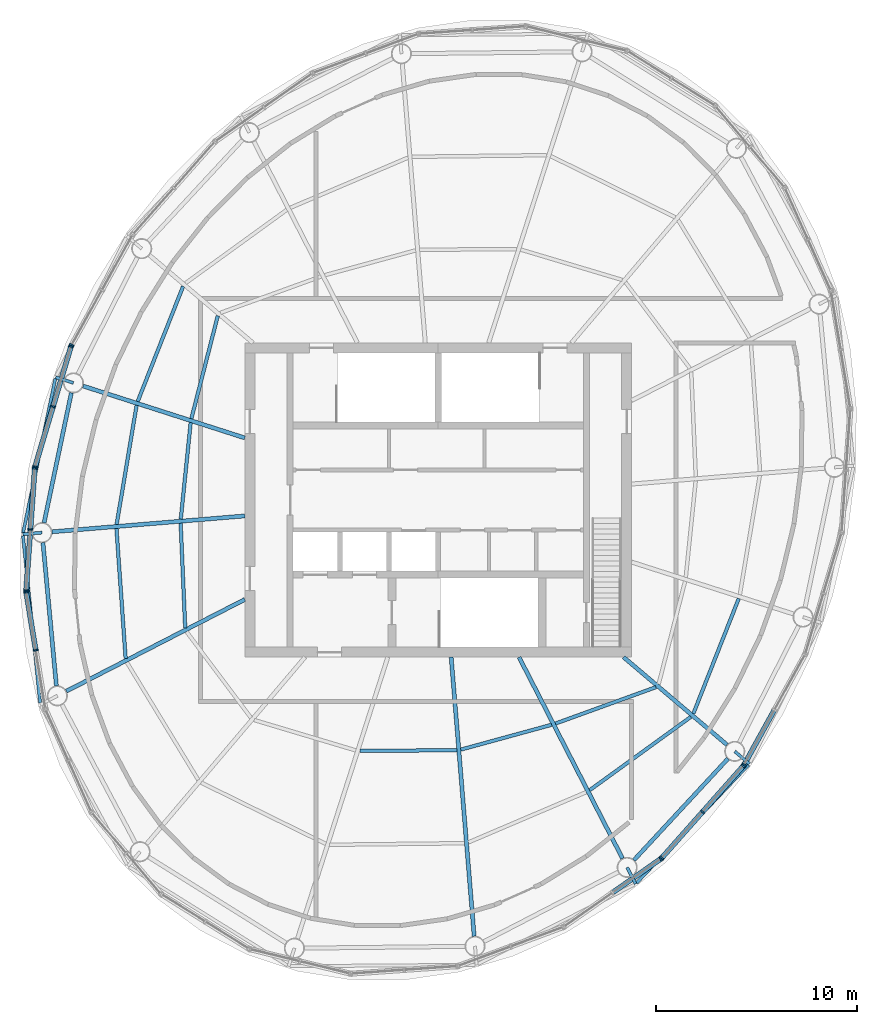
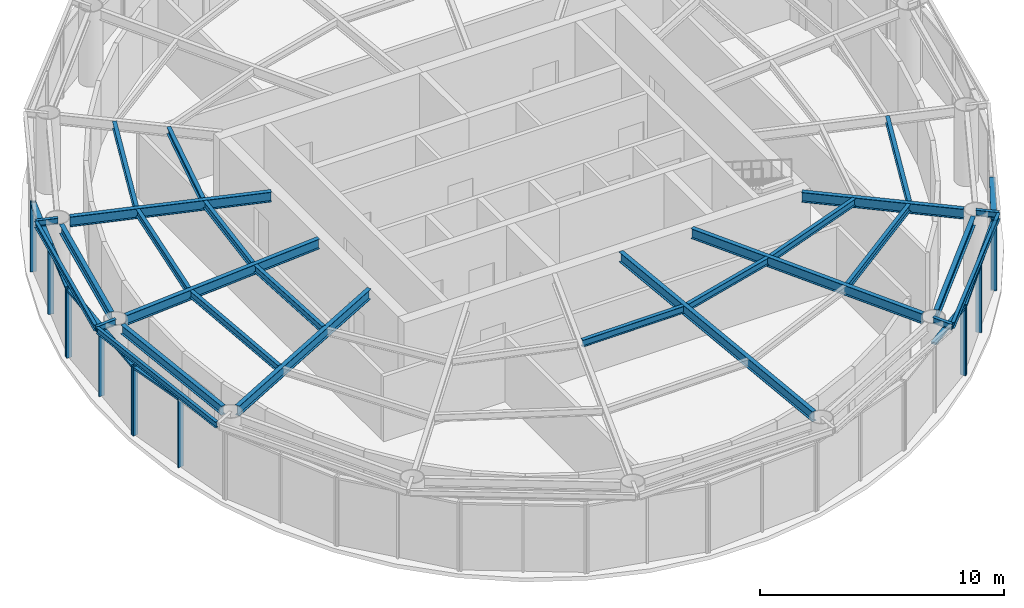
# One storey, part 3 of 11: 27 beams, 23 members, 7 elements without a shape of their own.
"""IFC4 building model written with IfcOpenShell, lengths in metres."""

from ifc_helpers import new_model, si_unit, direction, frame, origin, origin_2d, place, context, subcontext, project, spatial, rectangle, i_section, extrude, material, material_profile, profile_set, type_object, element, aggregate, save


model = new_model("IFC4")

# Units and contexts
model_context = context("Model", 3, precision=1e-05, world=origin(), true_north=direction((0.0, 1.0)))
body_context = subcontext(model_context, "Body", "Model", "MODEL_VIEW")
ifc_project = project(units=[si_unit("LENGTHUNIT", "METRE"), si_unit("AREAUNIT", "SQUARE_METRE"), si_unit("VOLUMEUNIT", "CUBIC_METRE"), si_unit("PLANEANGLEUNIT", "RADIAN"), si_unit("MASSUNIT", "GRAM", prefix="KILO")], contexts=[model_context])

# Site, building, storey
site_placement = place(None, origin())
site = spatial("IfcSite", under=ifc_project, at=site_placement, CompositionType="ELEMENT")
building_placement = place(site_placement, origin())
building = spatial("IfcBuilding", under=site, at=building_placement, Name="Vermilion Reach Broadcast Tower", CompositionType="ELEMENT")
storey_placement = place(building_placement, frame((0.0, 0.0, 325.5)))
storey = spatial("IfcBuildingStorey", under=building, at=storey_placement, Name="L81 CROWN", CompositionType="ELEMENT", Elevation=325.5)

# Curtain wall, member
ifc_material_1 = material(Name="Low-e laminated clear glass in aluminium frame", Category="aluminium")
curtain_wall_type = type_object("IfcCurtainWallType", Name="Crown glazing curtain wall", PredefinedType="NOTDEFINED", material=ifc_material_1)
placement = place(storey_placement, origin())
curtain_wall_1 = element("IfcCurtainWall", 1, at=placement, inside=storey, type_object=curtain_wall_type, Name="Crown glazing L81 CROWN 06", PredefinedType="NOTDEFINED")
ifc_material_2 = material(Name="Anodised aluminium", Category="aluminium")
ifc_material_profile_1 = material_profile(ifc_material_2, rectangle(XDim=0.25, YDim=0.080078125, at=origin_2d()), Name="Crown glazing mullion 80 x 250")
ifc_profile_set_1 = profile_set([ifc_material_profile_1], Name="Anodised aluminium")
member_type_1 = type_object("IfcMemberType", Name="Crown glazing mullion 80 x 250", PredefinedType="MULLION", material=ifc_profile_set_1)
member_1_placement = place(storey_placement, frame((-24.196533203125, 7.6923828125, 0.0), z_axis=(0.0, 0.0, 1.0), x_axis=(0.874983200268, -0.484153280738, 0.0)))
member_1 = element("IfcMember", 2, at=member_1_placement, type_object=member_type_1, Name="Crown glazing mullion L81 CROWN 06.3", PredefinedType="MULLION", context=body_context, shape_type="SweptSolid", body=[
    extrude(rectangle(XDim=0.25, YDim=0.080078125, at=origin_2d()), origin(), (0.0, 0.0, 1.0), 3.449951171875),
])
aggregate(curtain_wall_1, [member_1])

# Curtain wall, members
curtain_wall_2 = element("IfcCurtainWall", 3, at=placement, inside=storey, type_object=curtain_wall_type, Name="Crown glazing L81 CROWN 07", PredefinedType="NOTDEFINED")
member_2_placement = place(storey_placement, frame((-24.2275390625, 7.618896484375, 0.0), z_axis=(0.0, 0.0, 1.0), x_axis=(0.958107940789, -0.286407356394, 0.0)))
member_2 = element("IfcMember", 4, at=member_2_placement, type_object=member_type_1, Name="Crown glazing mullion L81 CROWN 07.1", PredefinedType="MULLION", context=body_context, shape_type="SweptSolid", body=[
    extrude(rectangle(XDim=0.25, YDim=0.080078125, at=origin_2d()), origin(), (0.0, 0.0, 1.0), 3.449951171875),
])
member_3_placement = place(storey_placement, frame((-25.119384765625, 4.635498046875, 0.0), z_axis=(0.0, 0.0, 1.0), x_axis=(0.958107940789, -0.286407356394, 0.0)))
member_3 = element("IfcMember", 5, at=member_3_placement, type_object=member_type_1, Name="Crown glazing mullion L81 CROWN 07.2", PredefinedType="MULLION", context=body_context, shape_type="SweptSolid", body=[
    extrude(rectangle(XDim=0.25, YDim=0.080078125, at=origin_2d()), origin(), (0.0, 0.0, 1.0), 3.449951171875),
])
member_4_placement = place(storey_placement, frame((-26.01123046875, 1.65185546875, 0.0), z_axis=(0.0, 0.0, 1.0), x_axis=(0.958107940789, -0.286407356394, 0.0)))
member_4 = element("IfcMember", 6, at=member_4_placement, type_object=member_type_1, Name="Crown glazing mullion L81 CROWN 07.3", PredefinedType="MULLION", context=body_context, shape_type="SweptSolid", body=[
    extrude(rectangle(XDim=0.25, YDim=0.080078125, at=origin_2d()), origin(), (0.0, 0.0, 1.0), 3.449951171875),
])

curtain_wall_3 = element("IfcCurtainWall", 7, at=placement, inside=storey, type_object=curtain_wall_type, Name="Crown glazing L81 CROWN 08", PredefinedType="NOTDEFINED")
member_5_placement = place(storey_placement, frame((-26.025390625, 1.57373046875, 0.0), z_axis=(0.0, 0.0, 1.0), x_axis=(0.997499557729, -0.070672712769, 0.0)))
member_5 = element("IfcMember", 8, at=member_5_placement, type_object=member_type_1, Name="Crown glazing mullion L81 CROWN 08.1", PredefinedType="MULLION", context=body_context, shape_type="SweptSolid", body=[
    extrude(rectangle(XDim=0.25, YDim=0.080078125, at=origin_2d()), origin(), (0.0, 0.0, 1.0), 3.449951171875),
])
member_6_placement = place(storey_placement, frame((-26.240478515625, -1.46240234375, 0.0), z_axis=(0.0, 0.0, 1.0), x_axis=(0.997499557729, -0.070672712769, 0.0)))
member_6 = element("IfcMember", 9, at=member_6_placement, type_object=member_type_1, Name="Crown glazing mullion L81 CROWN 08.2", PredefinedType="MULLION", context=body_context, shape_type="SweptSolid", body=[
    extrude(rectangle(XDim=0.25, YDim=0.080078125, at=origin_2d()), origin(), (0.0, 0.0, 1.0), 3.449951171875),
])
member_7_placement = place(storey_placement, frame((-26.455810546875, -4.49853515625, 0.0), z_axis=(0.0, 0.0, 1.0), x_axis=(0.997499557729, -0.070672712769, 0.0)))
member_7 = element("IfcMember", 10, at=member_7_placement, type_object=member_type_1, Name="Crown glazing mullion L81 CROWN 08.3", PredefinedType="MULLION", context=body_context, shape_type="SweptSolid", body=[
    extrude(rectangle(XDim=0.25, YDim=0.080078125, at=origin_2d()), origin(), (0.0, 0.0, 1.0), 3.449951171875),
])

curtain_wall_4 = element("IfcCurtainWall", 11, at=placement, inside=storey, type_object=curtain_wall_type, Name="Crown glazing L81 CROWN 09", PredefinedType="NOTDEFINED")
member_8_placement = place(storey_placement, frame((-26.451904296875, -4.577880859375, 0.0), z_axis=(0.0, 0.0, 1.0), x_axis=(0.986689101121, 0.162618011697, 0.0)))
member_8 = element("IfcMember", 12, at=member_8_placement, type_object=member_type_1, Name="Crown glazing mullion L81 CROWN 09.1", PredefinedType="MULLION", context=body_context, shape_type="SweptSolid", body=[
    extrude(rectangle(XDim=0.25, YDim=0.080078125, at=origin_2d()), origin(), (0.0, 0.0, 1.0), 3.449951171875),
])
member_9_placement = place(storey_placement, frame((-25.9775390625, -7.456787109375, 0.0), z_axis=(0.0, 0.0, 1.0), x_axis=(0.986689101121, 0.162618011697, 0.0)))
member_9 = element("IfcMember", 13, at=member_9_placement, type_object=member_type_1, Name="Crown glazing mullion L81 CROWN 09.2", PredefinedType="MULLION", context=body_context, shape_type="SweptSolid", body=[
    extrude(rectangle(XDim=0.25, YDim=0.080078125, at=origin_2d()), origin(), (0.0, 0.0, 1.0), 3.449951171875),
])

# Curtain wall, member
curtain_wall_5 = element("IfcCurtainWall", 14, at=placement, inside=storey, type_object=curtain_wall_type, Name="Crown glazing L81 CROWN 16", PredefinedType="NOTDEFINED")
member_10_placement = place(storey_placement, frame((5.038818359375, -17.8154296875, 0.0), z_axis=(0.0, 0.0, 1.0), x_axis=(-0.574163969023, 0.818740335317, 0.0)))
member_10 = element("IfcMember", 15, at=member_10_placement, type_object=member_type_1, Name="Crown glazing mullion L81 CROWN 16.3", PredefinedType="MULLION", context=body_context, shape_type="SweptSolid", body=[
    extrude(rectangle(XDim=0.25, YDim=0.080078125, at=origin_2d()), origin(), (0.0, 0.0, 1.0), 3.449951171875),
])

# Curtain wall, members
curtain_wall_6 = element("IfcCurtainWall", 16, at=placement, inside=storey, type_object=curtain_wall_type, Name="Crown glazing L81 CROWN 17", PredefinedType="NOTDEFINED")
member_11_placement = place(storey_placement, frame((5.09814453125, -17.762451171875, 0.0), z_axis=(0.0, 0.0, 1.0), x_axis=(-0.748407682668, 0.663238976934, 0.0)))
member_11 = element("IfcMember", 17, at=member_11_placement, type_object=member_type_1, Name="Crown glazing mullion L81 CROWN 17.1", PredefinedType="MULLION", context=body_context, shape_type="SweptSolid", body=[
    extrude(rectangle(XDim=0.25, YDim=0.080078125, at=origin_2d()), origin(), (0.0, 0.0, 1.0), 3.449951171875),
])
member_12_placement = place(storey_placement, frame((7.11669921875, -15.484619140625, 0.0), z_axis=(0.0, 0.0, 1.0), x_axis=(-0.748407682668, 0.663238976934, 0.0)))
member_12 = element("IfcMember", 18, at=member_12_placement, type_object=member_type_1, Name="Crown glazing mullion L81 CROWN 17.2", PredefinedType="MULLION", context=body_context, shape_type="SweptSolid", body=[
    extrude(rectangle(XDim=0.25, YDim=0.080078125, at=origin_2d()), origin(), (0.0, 0.0, 1.0), 3.449951171875),
])
member_13_placement = place(storey_placement, frame((9.135498046875, -13.20654296875, 0.0), z_axis=(0.0, 0.0, 1.0), x_axis=(-0.748407682668, 0.663238976934, 0.0)))
member_13 = element("IfcMember", 19, at=member_13_placement, type_object=member_type_1, Name="Crown glazing mullion L81 CROWN 17.3", PredefinedType="MULLION", context=body_context, shape_type="SweptSolid", body=[
    extrude(rectangle(XDim=0.25, YDim=0.080078125, at=origin_2d()), origin(), (0.0, 0.0, 1.0), 3.449951171875),
])

# Curtain wall, member
curtain_wall_7 = element("IfcCurtainWall", 20, at=placement, inside=storey, type_object=curtain_wall_type, Name="Crown glazing L81 CROWN 18", PredefinedType="NOTDEFINED")
member_14_placement = place(storey_placement, frame((9.181396484375, -13.1416015625, 0.0), z_axis=(0.0, 0.0, 1.0), x_axis=(-0.874983200268, 0.484153280738, 0.0)))
member_14 = element("IfcMember", 21, at=member_14_placement, type_object=member_type_1, Name="Crown glazing mullion L81 CROWN 18.1", PredefinedType="MULLION", context=body_context, shape_type="SweptSolid", body=[
    extrude(rectangle(XDim=0.25, YDim=0.080078125, at=origin_2d()), origin(), (0.0, 0.0, 1.0), 3.449951171875),
])

# Member
ifc_material_3 = material(Name="Anodised aluminium", Category="aluminium")
ifc_material_profile_2 = material_profile(ifc_material_3, rectangle(XDim=0.25, YDim=0.10009765625, at=origin_2d()), Name="Crown glazing transom 250 x 100")
ifc_profile_set_2 = profile_set([ifc_material_profile_2], Name="Anodised aluminium")
member_type_2 = type_object("IfcMemberType", Name="Crown glazing transom 250 x 100", PredefinedType="USERDEFINED", material=ifc_profile_set_2)
member_15_placement = place(storey_placement, frame((-24.239013671875, 7.58056640625, 3.39990234375), z_axis=(-0.286402743865, -0.958109319601, 0.0), x_axis=(0.958109319601, -0.286402743865, 0.0)))
member_15 = element("IfcMember", 22, at=member_15_placement, type_object=member_type_2, Name="Crown glazing transom L81 CROWN 07.1.2", ObjectType="TRANSOM", PredefinedType="USERDEFINED", context=body_context, shape_type="SweptSolid", body=[
    extrude(rectangle(XDim=0.25, YDim=0.10009765625, at=origin_2d()), origin(), (0.0, 0.0, 1.0), 3.033935546875),
])

member_16_placement = place(storey_placement, frame((-25.130859375, 4.59716796875, 3.39990234375), z_axis=(-0.286380663338, -0.958115919744, 0.0), x_axis=(0.958115919744, -0.286380663338, 0.0)))
member_16 = element("IfcMember", 23, at=member_16_placement, type_object=member_type_2, Name="Crown glazing transom L81 CROWN 07.2.2", ObjectType="TRANSOM", PredefinedType="USERDEFINED", context=body_context, shape_type="SweptSolid", body=[
    extrude(rectangle(XDim=0.25, YDim=0.10009765625, at=origin_2d()), origin(), (0.0, 0.0, 1.0), 3.0341796875),
])

aggregate(curtain_wall_2, [member_2, member_3, member_4, member_15, member_16])

member_17_placement = place(storey_placement, frame((-26.0283203125, 1.533935546875, 3.39990234375), z_axis=(-0.07067918302, -0.997499099292, 0.0), x_axis=(0.997499099292, -0.07067918302, 0.0)))
member_17 = element("IfcMember", 24, at=member_17_placement, type_object=member_type_2, Name="Crown glazing transom L81 CROWN 08.1.2", ObjectType="TRANSOM", PredefinedType="USERDEFINED", context=body_context, shape_type="SweptSolid", body=[
    extrude(rectangle(XDim=0.25, YDim=0.10009765625, at=origin_2d()), origin(), (0.0, 0.0, 1.0), 2.963623046875),
])

member_18_placement = place(storey_placement, frame((-26.243408203125, -1.502197265625, 3.39990234375), z_axis=(-0.07067918302, -0.997499099292, 0.0), x_axis=(0.997499099292, -0.07067918302, 0.0)))
member_18 = element("IfcMember", 25, at=member_18_placement, type_object=member_type_2, Name="Crown glazing transom L81 CROWN 08.2.2", ObjectType="TRANSOM", PredefinedType="USERDEFINED", context=body_context, shape_type="SweptSolid", body=[
    extrude(rectangle(XDim=0.25, YDim=0.10009765625, at=origin_2d()), origin(), (0.0, 0.0, 1.0), 2.963623046875),
])

aggregate(curtain_wall_3, [member_5, member_6, member_7, member_17, member_18])

member_19_placement = place(storey_placement, frame((-26.445556640625, -4.6171875, 3.39990234375), z_axis=(0.162599033258, -0.986692228805, 0.0), x_axis=(0.986692228805, 0.162599033258, 0.0)))
member_19 = element("IfcMember", 26, at=member_19_placement, type_object=member_type_2, Name="Crown glazing transom L81 CROWN 09.1.2", ObjectType="TRANSOM", PredefinedType="USERDEFINED", context=body_context, shape_type="SweptSolid", body=[
    extrude(rectangle(XDim=0.25, YDim=0.10009765625, at=origin_2d()), origin(), (0.0, 0.0, 1.0), 2.837890625),
])

aggregate(curtain_wall_4, [member_8, member_9, member_19])

member_20_placement = place(storey_placement, frame((2.6826171875, -19.4677734375, 3.39990234375), z_axis=(0.818742582552, 0.574160764522, 0.0), x_axis=(-0.574160764522, 0.818742582552, 0.0)))
member_20 = element("IfcMember", 27, at=member_20_placement, type_object=member_type_2, Name="Crown glazing transom L81 CROWN 16.2.2", ObjectType="TRANSOM", PredefinedType="USERDEFINED", context=body_context, shape_type="SweptSolid", body=[
    extrude(rectangle(XDim=0.25, YDim=0.10009765625, at=origin_2d()), origin(), (0.0, 0.0, 1.0), 2.837890625),
])

aggregate(curtain_wall_5, [member_10, member_20])

member_21_placement = place(storey_placement, frame((5.12451171875, -17.732421875, 3.39990234375), z_axis=(0.663279205809, 0.748372029903, 0.0), x_axis=(-0.748372029903, 0.663279205809, 0.0)))
member_21 = element("IfcMember", 28, at=member_21_placement, type_object=member_type_2, Name="Crown glazing transom L81 CROWN 17.1.2", ObjectType="TRANSOM", PredefinedType="USERDEFINED", context=body_context, shape_type="SweptSolid", body=[
    extrude(rectangle(XDim=0.25, YDim=0.10009765625, at=origin_2d()), origin(), (0.0, 0.0, 1.0), 2.9638671875),
])

member_22_placement = place(storey_placement, frame((7.143310546875, -15.45458984375, 3.39990234375), z_axis=(0.663233067327, 0.74841291972, 0.0), x_axis=(-0.74841291972, 0.663233067327, 0.0)))
member_22 = element("IfcMember", 29, at=member_22_placement, type_object=member_type_2, Name="Crown glazing transom L81 CROWN 17.2.2", ObjectType="TRANSOM", PredefinedType="USERDEFINED", context=body_context, shape_type="SweptSolid", body=[
    extrude(rectangle(XDim=0.25, YDim=0.10009765625, at=origin_2d()), origin(), (0.0, 0.0, 1.0), 2.963623046875),
])

aggregate(curtain_wall_6, [member_11, member_12, member_13, member_21, member_22])

member_23_placement = place(storey_placement, frame((9.20068359375, -13.106689453125, 3.39990234375), z_axis=(0.484159697597, 0.874979649605, 0.0), x_axis=(-0.874979649605, 0.484159697597, 0.0)))
member_23 = element("IfcMember", 30, at=member_23_placement, type_object=member_type_2, Name="Crown glazing transom L81 CROWN 18.1.2", ObjectType="TRANSOM", PredefinedType="USERDEFINED", context=body_context, shape_type="SweptSolid", body=[
    extrude(rectangle(XDim=0.25, YDim=0.10009765625, at=origin_2d()), origin(), (0.0, 0.0, 1.0), 3.0341796875),
])

aggregate(curtain_wall_7, [member_14, member_23])

# Beams
ifc_material_4 = material(Name="Steel S355J2", Category="steel")
ifc_material_profile_3 = material_profile(ifc_material_4, i_section(OverallWidth=0.14990234375, OverallDepth=0.300048828125, WebThickness=0.006591796875, FlangeThickness=0.009033203125, at=origin_2d()), Name="S355J2 HN 300x150x6.5x9")
ifc_profile_set_3 = profile_set([ifc_material_profile_3], Name="Steel S355J2")
beam_type_1 = type_object("IfcBeamType", Name="EB5 HN 300x150x6.5x9", PredefinedType="BEAM", material=ifc_profile_set_3)
beam_1_placement = place(storey_placement, frame((-25.00439453125, 6.019287109375, 3.60009765625), z_axis=(-0.204738436734, -0.978816720599, 0.0), x_axis=(0.978816720599, -0.204738436734, 0.0)))
element("IfcBeam", 31, at=beam_1_placement, inside=storey, type_object=beam_type_1, Name="Edge beam EB5-05", PredefinedType="BEAM", context=body_context, shape_type="SweptSolid", body=[
    extrude(i_section(OverallWidth=0.14990234375, OverallDepth=0.300048828125, WebThickness=0.006591796875, FlangeThickness=0.009033203125, at=origin_2d()), origin(), (0.0, 0.0, 1.0), 7.806884765625),
])
beam_2_placement = place(storey_placement, frame((-26.611083984375, -1.7734375, 3.60009765625), z_axis=(0.102011792202, -0.99478318957, 0.0), x_axis=(0.99478318957, 0.102011792202, 0.0)))
element("IfcBeam", 32, at=beam_2_placement, inside=storey, type_object=beam_type_1, Name="Edge beam EB5-06", PredefinedType="BEAM", context=body_context, shape_type="SweptSolid", body=[
    extrude(i_section(OverallWidth=0.14990234375, OverallDepth=0.300048828125, WebThickness=0.006591796875, FlangeThickness=0.009033203125, at=origin_2d()), origin(), (0.0, 0.0, 1.0), 8.34521484375),
])
beam_3_placement = place(storey_placement, frame((3.85400390625, -19.001708984375, 3.60009765625), z_axis=(0.687701793008, 0.725993280888, 0.0), x_axis=(-0.725993280888, 0.687701793008, 0.0)))
element("IfcBeam", 33, at=beam_3_placement, inside=storey, type_object=beam_type_1, Name="Edge beam EB5-11", PredefinedType="BEAM", context=body_context, shape_type="SweptSolid", body=[
    extrude(i_section(OverallWidth=0.14990234375, OverallDepth=0.300048828125, WebThickness=0.006591796875, FlangeThickness=0.009033203125, at=origin_2d()), origin(), (0.0, 0.0, 1.0), 8.05908203125),
])
ifc_material_5 = material(Name="Steel S355J2", Category="steel")
ifc_material_profile_4 = material_profile(ifc_material_5, i_section(OverallWidth=0.199951171875, OverallDepth=0.5, WebThickness=0.010009765625, FlangeThickness=0.01611328125, at=origin_2d()), Name="S355J2 HN 500x200x10x16")
ifc_profile_set_4 = profile_set([ifc_material_profile_4], Name="Steel S355J2")
beam_type_2 = type_object("IfcBeamType", Name="G5 HN 500x200x10x16", PredefinedType="BEAM", material=ifc_profile_set_4)
beam_4_placement = place(storey_placement, frame((-15.60009765625, 3.080322265625, 3.5), z_axis=(-0.952178453449, 0.305542456604, 0.0), x_axis=(-0.305542456604, -0.952178453449, 0.0)))
element("IfcBeam", 34, at=beam_4_placement, inside=storey, type_object=beam_type_2, Name="Girder G5-05", PredefinedType="BEAM", context=body_context, shape_type="SweptSolid", body=[
    extrude(i_section(OverallWidth=0.199951171875, OverallDepth=0.5, WebThickness=0.010009765625, FlangeThickness=0.01611328125, at=origin_2d()), origin(), (0.0, 0.0, 1.0), 8.43310546875),
])
beam_5_placement = place(storey_placement, frame((-15.60009765625, -0.791015625, 3.5), z_axis=(-0.996624410075, -0.082096195058, 0.0), x_axis=(0.082096195058, -0.996624410075, 0.0)))
element("IfcBeam", 35, at=beam_5_placement, inside=storey, type_object=beam_type_2, Name="Girder G5-06", PredefinedType="BEAM", context=body_context, shape_type="SweptSolid", body=[
    extrude(i_section(OverallWidth=0.199951171875, OverallDepth=0.5, WebThickness=0.010009765625, FlangeThickness=0.01611328125, at=origin_2d()), origin(), (0.0, 0.0, 1.0), 9.599609375),
])
beam_6_placement = place(storey_placement, frame((-15.60009765625, -4.935791015625, 3.5), z_axis=(-0.889332502449, -0.457261085254, 0.0), x_axis=(0.457261085254, -0.889332502449, 0.0)))
element("IfcBeam", 36, at=beam_6_placement, inside=storey, type_object=beam_type_2, Name="Girder G5-07", PredefinedType="BEAM", context=body_context, shape_type="SweptSolid", body=[
    extrude(i_section(OverallWidth=0.199951171875, OverallDepth=0.5, WebThickness=0.010009765625, FlangeThickness=0.01611328125, at=origin_2d()), origin(), (0.0, 0.0, 1.0), 9.96337890625),
])
beam_7_placement = place(storey_placement, frame((-5.357421875, -7.800048828125, 3.5), z_axis=(0.082123744247, -0.996622140347, 0.0), x_axis=(0.996622140347, 0.082123744247, 0.0)))
element("IfcBeam", 37, at=beam_7_placement, inside=storey, type_object=beam_type_2, Name="Girder G5-10", PredefinedType="BEAM", context=body_context, shape_type="SweptSolid", body=[
    extrude(i_section(OverallWidth=0.199951171875, OverallDepth=0.5, WebThickness=0.010009765625, FlangeThickness=0.01611328125, at=origin_2d()), origin(), (0.0, 0.0, 1.0), 13.89794921875),
])
beam_8_placement = place(storey_placement, frame((-1.989501953125, -7.800048828125, 3.5), z_axis=(0.457258168112, -0.889334002327, 0.0), x_axis=(0.889334002327, 0.457258168112, 0.0)))
element("IfcBeam", 38, at=beam_8_placement, inside=storey, type_object=beam_type_2, Name="Girder G5-11", PredefinedType="BEAM", context=body_context, shape_type="SweptSolid", body=[
    extrude(i_section(OverallWidth=0.199951171875, OverallDepth=0.5, WebThickness=0.010009765625, FlangeThickness=0.01611328125, at=origin_2d()), origin(), (0.0, 0.0, 1.0), 11.236328125),
])
beam_9_placement = place(storey_placement, frame((3.20068359375, -7.800048828125, 3.5), z_axis=(0.762793125612, -0.646642596431, 0.0), x_axis=(0.646642596431, 0.762793125612, 0.0)))
element("IfcBeam", 39, at=beam_9_placement, inside=storey, type_object=beam_type_2, Name="Girder G5-12", PredefinedType="BEAM", context=body_context, shape_type="SweptSolid", body=[
    extrude(i_section(OverallWidth=0.199951171875, OverallDepth=0.5, WebThickness=0.010009765625, FlangeThickness=0.01611328125, at=origin_2d()), origin(), (0.0, 0.0, 1.0), 6.732421875),
])
ifc_material_6 = material(Name="Steel S355J2", Category="steel")
ifc_material_profile_5 = material_profile(ifc_material_6, i_section(OverallWidth=0.14990234375, OverallDepth=0.300048828125, WebThickness=0.006591796875, FlangeThickness=0.009033203125, at=origin_2d()), Name="S355J2 HN 300x150x6.5x9")
ifc_profile_set_5 = profile_set([ifc_material_profile_5], Name="Steel S355J2")
beam_type_3 = type_object("IfcBeamType", Name="GS5 HN 300x150x6.5x9", PredefinedType="BEAM", material=ifc_profile_set_5)
beam_10_placement = place(storey_placement, frame((-24.10595703125, 5.809814453125, 3.60009765625), z_axis=(-0.952228317443, 0.305387019141, 0.0), x_axis=(-0.305387019141, -0.952228317443, 0.0)))
element("IfcBeam", 40, at=beam_10_placement, inside=storey, type_object=beam_type_3, Name="Cantilever stub GS5-05", PredefinedType="BEAM", context=body_context, shape_type="SweptSolid", body=[
    extrude(i_section(OverallWidth=0.14990234375, OverallDepth=0.300048828125, WebThickness=0.006591796875, FlangeThickness=0.009033203125, at=origin_2d()), origin(), (0.0, 0.0, 1.0), 0.92724609375),
])
beam_11_placement = place(storey_placement, frame((-25.665771484375, -1.620361328125, 3.60009765625), z_axis=(-0.996634988565, -0.081967673925, 0.0), x_axis=(0.081967673925, -0.996634988565, 0.0)))
element("IfcBeam", 41, at=beam_11_placement, inside=storey, type_object=beam_type_3, Name="Cantilever stub GS5-06", PredefinedType="BEAM", context=body_context, shape_type="SweptSolid", body=[
    extrude(i_section(OverallWidth=0.14990234375, OverallDepth=0.300048828125, WebThickness=0.006591796875, FlangeThickness=0.009033203125, at=origin_2d()), origin(), (0.0, 0.0, 1.0), 0.9560546875),
])
beam_12_placement = place(storey_placement, frame((3.376953125, -18.23779296875, 3.60009765625), z_axis=(0.457228572872, -0.889349218333, 0.0), x_axis=(0.889349218333, 0.457228572872, 0.0)))
element("IfcBeam", 42, at=beam_12_placement, inside=storey, type_object=beam_type_3, Name="Cantilever stub GS5-11", PredefinedType="BEAM", context=body_context, shape_type="SweptSolid", body=[
    extrude(i_section(OverallWidth=0.14990234375, OverallDepth=0.300048828125, WebThickness=0.006591796875, FlangeThickness=0.009033203125, at=origin_2d()), origin(), (0.0, 0.0, 1.0), 0.923828125),
])
beam_13_placement = place(storey_placement, frame((8.717529296875, -12.476806640625, 3.60009765625), z_axis=(0.762718692688, -0.64673038882, 0.0), x_axis=(0.64673038882, 0.762718692688, 0.0)))
element("IfcBeam", 43, at=beam_13_placement, inside=storey, type_object=beam_type_3, Name="Cantilever stub GS5-12", PredefinedType="BEAM", context=body_context, shape_type="SweptSolid", body=[
    extrude(i_section(OverallWidth=0.14990234375, OverallDepth=0.300048828125, WebThickness=0.006591796875, FlangeThickness=0.009033203125, at=origin_2d()), origin(), (0.0, 0.0, 1.0), 0.957763671875),
])
ifc_material_7 = material(Name="Steel S355J2", Category="steel")
ifc_material_profile_6 = material_profile(ifc_material_7, i_section(OverallWidth=0.199951171875, OverallDepth=0.449951171875, WebThickness=0.009033203125, FlangeThickness=0.013916015625, at=origin_2d()), Name="S355J2 HN 450x200x9x14")
ifc_profile_set_6 = profile_set([ifc_material_profile_6], Name="Steel S355J2")
beam_type_4 = type_object("IfcBeamType", Name="RB5 HN 450x200x9x14", PredefinedType="BEAM", material=ifc_profile_set_6)
beam_14_placement = place(storey_placement, frame((-24.208740234375, 5.3203125, 3.52490234375), z_axis=(-0.205444869285, -0.978668690459, 0.0), x_axis=(0.978668690459, -0.205444869285, 0.0)))
element("IfcBeam", 44, at=beam_14_placement, inside=storey, type_object=beam_type_4, Name="Ring beam RB5-05", PredefinedType="BEAM", context=body_context, shape_type="SweptSolid", body=[
    extrude(i_section(OverallWidth=0.199951171875, OverallDepth=0.449951171875, WebThickness=0.009033203125, FlangeThickness=0.013916015625, at=origin_2d()), origin(), (0.0, 0.0, 1.0), 6.591796875),
])
beam_15_placement = place(storey_placement, frame((-25.618896484375, -2.1181640625, 3.52490234375), z_axis=(0.093441399272, -0.995624781181, 0.0), x_axis=(0.995624781181, 0.093441399272, 0.0)))
element("IfcBeam", 45, at=beam_15_placement, inside=storey, type_object=beam_type_4, Name="Ring beam RB5-06", PredefinedType="BEAM", context=body_context, shape_type="SweptSolid", body=[
    extrude(i_section(OverallWidth=0.199951171875, OverallDepth=0.449951171875, WebThickness=0.009033203125, FlangeThickness=0.013916015625, at=origin_2d()), origin(), (0.0, 0.0, 1.0), 7.135498046875),
])
beam_16_placement = place(storey_placement, frame((3.716796875, -17.87109375, 3.52490234375), z_axis=(0.679837550075, 0.733362738014, 0.0), x_axis=(-0.733362738014, 0.679837550075, 0.0)))
element("IfcBeam", 46, at=beam_16_placement, inside=storey, type_object=beam_type_4, Name="Ring beam RB5-11", PredefinedType="BEAM", context=body_context, shape_type="SweptSolid", body=[
    extrude(i_section(OverallWidth=0.199951171875, OverallDepth=0.449951171875, WebThickness=0.009033203125, FlangeThickness=0.013916015625, at=origin_2d()), origin(), (0.0, 0.0, 1.0), 6.85546875),
])
ifc_material_8 = material(Name="Steel S355J2", Category="steel")
ifc_material_profile_7 = material_profile(ifc_material_8, i_section(OverallWidth=0.175048828125, OverallDepth=0.35009765625, WebThickness=0.007080078125, FlangeThickness=0.010986328125, at=origin_2d()), Name="S355J2 HN 350x175x7x11")
ifc_profile_set_7 = profile_set([ifc_material_profile_7], Name="Steel S355J2")
beam_type_5 = type_object("IfcBeamType", Name="SB5 HN 350x175x7x11", PredefinedType="BEAM", material=ifc_profile_set_7)
beam_17_placement = place(storey_placement, frame((-16.940185546875, 9.1435546875, 3.574951171875), z_axis=(-0.248729575729, -0.968572969971, 0.0), x_axis=(0.968572969971, -0.248729575729, 0.0)))
element("IfcBeam", 47, at=beam_17_placement, inside=storey, type_object=beam_type_5, Name="Secondary beam SB5-04-1", PredefinedType="BEAM", context=body_context, shape_type="SweptSolid", body=[
    extrude(i_section(OverallWidth=0.175048828125, OverallDepth=0.35009765625, WebThickness=0.007080078125, FlangeThickness=0.010986328125, at=origin_2d()), origin(), (0.0, 0.0, 1.0), 5.27294921875),
])
beam_18_placement = place(storey_placement, frame((-18.6630859375, 10.604248046875, 3.574951171875), z_axis=(-0.366931189603, -0.930248086317, 0.0), x_axis=(0.930248086317, -0.366931189603, 0.0)))
element("IfcBeam", 48, at=beam_18_placement, inside=storey, type_object=beam_type_5, Name="Secondary beam SB5-04-2", PredefinedType="BEAM", context=body_context, shape_type="SweptSolid", body=[
    extrude(i_section(OverallWidth=0.175048828125, OverallDepth=0.35009765625, WebThickness=0.007080078125, FlangeThickness=0.010986328125, at=origin_2d()), origin(), (0.0, 0.0, 1.0), 6.141357421875),
])
beam_19_placement = place(storey_placement, frame((-18.287109375, 3.837646484375, 3.574951171875), z_axis=(-0.102113775264, -0.994772726255, 0.0), x_axis=(0.994772726255, -0.102113775264, 0.0)))
element("IfcBeam", 49, at=beam_19_placement, inside=storey, type_object=beam_type_5, Name="Secondary beam SB5-05-1", PredefinedType="BEAM", context=body_context, shape_type="SweptSolid", body=[
    extrude(i_section(OverallWidth=0.175048828125, OverallDepth=0.35009765625, WebThickness=0.007080078125, FlangeThickness=0.010986328125, at=origin_2d()), origin(), (0.0, 0.0, 1.0), 4.815185546875),
])
beam_20_placement = place(storey_placement, frame((-20.969970703125, 4.698486328125, 3.574951171875), z_axis=(-0.16532337011, -0.986239414795, 0.0), x_axis=(0.986239414795, -0.16532337011, 0.0)))
element("IfcBeam", 50, at=beam_20_placement, inside=storey, type_object=beam_type_5, Name="Secondary beam SB5-05-2", PredefinedType="BEAM", context=body_context, shape_type="SweptSolid", body=[
    extrude(i_section(OverallWidth=0.175048828125, OverallDepth=0.35009765625, WebThickness=0.007080078125, FlangeThickness=0.010986328125, at=origin_2d()), origin(), (0.0, 0.0, 1.0), 5.99560546875),
])
beam_21_placement = place(storey_placement, frame((-18.78466796875, -1.153564453125, 3.574951171875), z_axis=(0.043557530017, -0.999050920413, 0.0), x_axis=(0.999050920413, 0.043557530017, 0.0)))
element("IfcBeam", 51, at=beam_21_placement, inside=storey, type_object=beam_type_5, Name="Secondary beam SB5-06-1", PredefinedType="BEAM", context=body_context, shape_type="SweptSolid", body=[
    extrude(i_section(OverallWidth=0.175048828125, OverallDepth=0.35009765625, WebThickness=0.007080078125, FlangeThickness=0.010986328125, at=origin_2d()), origin(), (0.0, 0.0, 1.0), 5.19580078125),
])
beam_22_placement = place(storey_placement, frame((-21.97119140625, -1.416259765625, 3.574951171875), z_axis=(0.070586780458, -0.997505642302, 0.0), x_axis=(0.997505642302, 0.070586780458, 0.0)))
element("IfcBeam", 52, at=beam_22_placement, inside=storey, type_object=beam_type_5, Name="Secondary beam SB5-06-2", PredefinedType="BEAM", context=body_context, shape_type="SweptSolid", body=[
    extrude(i_section(OverallWidth=0.175048828125, OverallDepth=0.35009765625, WebThickness=0.007080078125, FlangeThickness=0.010986328125, at=origin_2d()), origin(), (0.0, 0.0, 1.0), 6.46435546875),
])
beam_23_placement = place(storey_placement, frame((-9.891845703125, -12.4560546875, 3.574951171875), z_axis=(0.999968312294, 0.007960804474, 0.0), x_axis=(-0.007960804474, 0.999968312294, 0.0)))
element("IfcBeam", 53, at=beam_23_placement, inside=storey, type_object=beam_type_5, Name="Secondary beam SB5-09-1", PredefinedType="BEAM", context=body_context, shape_type="SweptSolid", body=[
    extrude(i_section(OverallWidth=0.175048828125, OverallDepth=0.35009765625, WebThickness=0.007080078125, FlangeThickness=0.010986328125, at=origin_2d()), origin(), (0.0, 0.0, 1.0), 4.81494140625),
])
beam_24_placement = place(storey_placement, frame((-4.87890625, -12.39013671875, 3.574951171875), z_axis=(0.964547496851, 0.263909314573, 0.0), x_axis=(-0.263909314573, 0.964547496851, 0.0)))
element("IfcBeam", 54, at=beam_24_placement, inside=storey, type_object=beam_type_5, Name="Secondary beam SB5-10-1", PredefinedType="BEAM", context=body_context, shape_type="SweptSolid", body=[
    extrude(i_section(OverallWidth=0.175048828125, OverallDepth=0.35009765625, WebThickness=0.007080078125, FlangeThickness=0.010986328125, at=origin_2d()), origin(), (0.0, 0.0, 1.0), 4.6689453125),
])
beam_25_placement = place(storey_placement, frame((-0.18212890625, -11.0966796875, 3.574951171875), z_axis=(0.940220108875, 0.340567389613, 0.0), x_axis=(-0.340567389613, 0.940220108875, 0.0)))
element("IfcBeam", 55, at=beam_25_placement, inside=storey, type_object=beam_type_5, Name="Secondary beam SB5-11-1", PredefinedType="BEAM", context=body_context, shape_type="SweptSolid", body=[
    extrude(i_section(OverallWidth=0.175048828125, OverallDepth=0.35009765625, WebThickness=0.007080078125, FlangeThickness=0.010986328125, at=origin_2d()), origin(), (0.0, 0.0, 1.0), 5.303466796875),
])
beam_26_placement = place(storey_placement, frame((1.517578125, -14.402587890625, 3.574951171875), z_axis=(0.809771251518, 0.586745703192, 0.0), x_axis=(-0.586745703192, 0.809771251518, 0.0)))
element("IfcBeam", 56, at=beam_26_placement, inside=storey, type_object=beam_type_5, Name="Secondary beam SB5-11-2", PredefinedType="BEAM", context=body_context, shape_type="SweptSolid", body=[
    extrude(i_section(OverallWidth=0.175048828125, OverallDepth=0.35009765625, WebThickness=0.007080078125, FlangeThickness=0.010986328125, at=origin_2d()), origin(), (0.0, 0.0, 1.0), 6.20361328125),
])
beam_27_placement = place(storey_placement, frame((6.6630859375, -10.604248046875, 3.574951171875), z_axis=(0.366931189603, 0.930248086317, 0.0), x_axis=(-0.930248086317, 0.366931189603, 0.0)))
element("IfcBeam", 57, at=beam_27_placement, inside=storey, type_object=beam_type_5, Name="Secondary beam SB5-12-2", PredefinedType="BEAM", context=body_context, shape_type="SweptSolid", body=[
    extrude(i_section(OverallWidth=0.175048828125, OverallDepth=0.35009765625, WebThickness=0.007080078125, FlangeThickness=0.010986328125, at=origin_2d()), origin(), (0.0, 0.0, 1.0), 6.141357421875),
])

save(model, "model.ifc")
